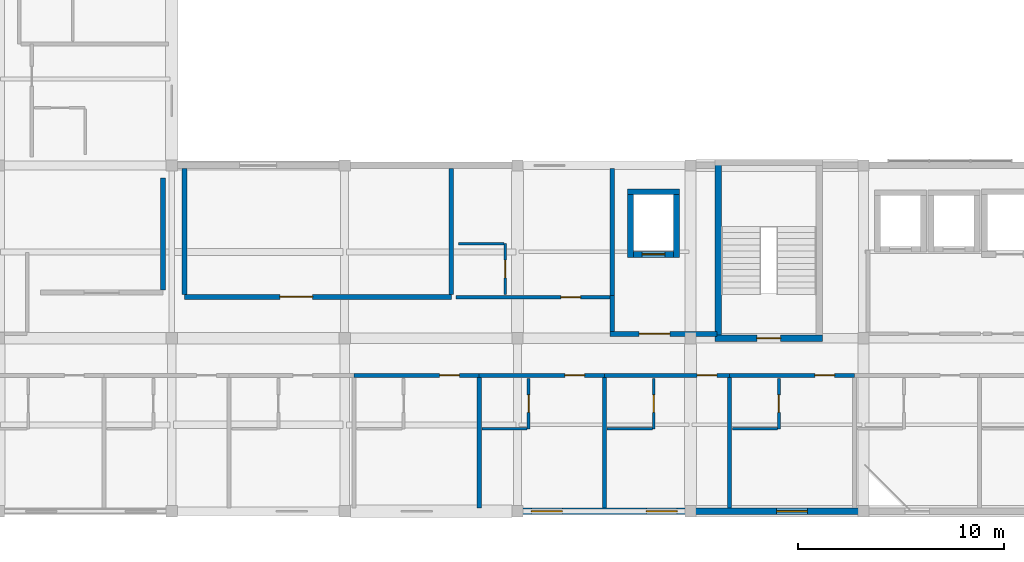
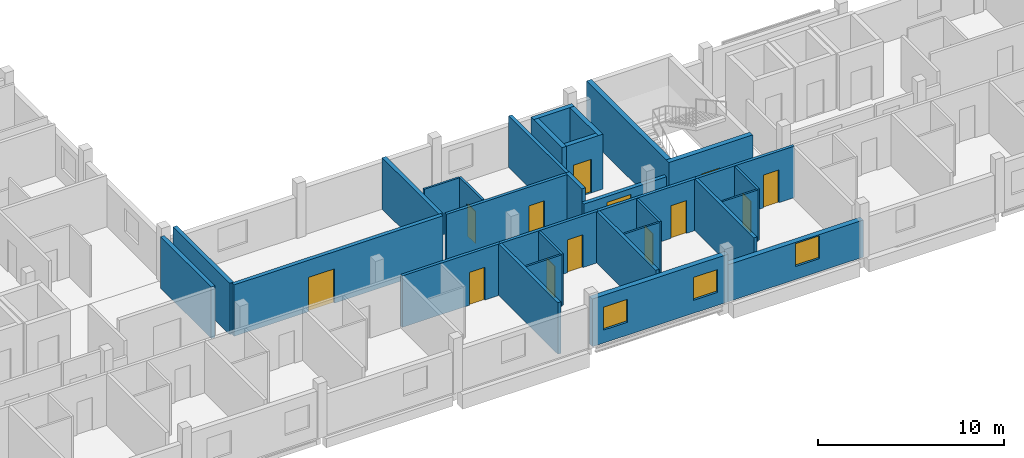
# One storey, part 12 of 20: 31 walls, 13 doors, 3 windows, 16 openings.
"""IFC4 building model written with IfcOpenShell, lengths in metres."""

from ifc_helpers import new_model, si_unit, derived_unit, direction, frame, frame_2d, origin, place, context, subcontext, project, spatial, rectangle, extrude, material, layer, layer_set, type_object, element, fill, save


model = new_model("IFC4")

# Units and contexts
model_context = context("Model", 3, precision=1e-05, world=origin(), true_north=direction((0.0, 1.0)))
body_context = subcontext(model_context, "Body", "Model", "MODEL_VIEW")
ifc_project = project(units=[si_unit("LENGTHUNIT", "METRE"), si_unit("AREAUNIT", "SQUARE_METRE"), si_unit("VOLUMEUNIT", "CUBIC_METRE"), si_unit("PLANEANGLEUNIT", "RADIAN"), si_unit("MASSUNIT", "GRAM", prefix="KILO"), derived_unit("THERMALTRANSMITTANCEUNIT", [(si_unit("POWERUNIT", "WATT"), 1), (si_unit("LENGTHUNIT", "METRE"), -2), (si_unit("THERMODYNAMICTEMPERATUREUNIT", "KELVIN"), -1)])], contexts=[model_context])

# Site, building, storey
site_placement = place(None, origin())
site = spatial("IfcSite", under=ifc_project, at=site_placement, CompositionType="ELEMENT")
building_placement = place(site_placement, origin())
building = spatial("IfcBuilding", under=site, at=building_placement, Name="Barrovel Congress Hotel", CompositionType="ELEMENT")
storey_placement = place(building_placement, frame((0.0, 0.0, 36.300048828125)))
storey = spatial("IfcBuildingStorey", under=building, at=storey_placement, Name="L09", CompositionType="ELEMENT", Elevation=36.300048828125)

# Wall, openings, windows
ifc_material_1 = material(Name="Fired Clay Brick Masonry", Category="masonry")
ifc_layer_1 = layer(ifc_material_1, 0.320068359375)
ifc_layer_set_1 = layer_set([ifc_layer_1], Name="Fired Clay Brick Masonry")
wall_type_1 = type_object("IfcWallType", Name="EW-BRK320", PredefinedType="STANDARD", material=ifc_layer_set_1)
wall_1_placement = place(storey_placement, frame((67.199951171875, 4.199951171875, 0.0), z_axis=(0.0, 0.0, 1.0), x_axis=(1.0, 0.0, 0.0)))
wall_1 = element("IfcWall", 1, at=wall_1_placement, inside=storey, type_object=wall_type_1, Name="EW:L09:HS-S:P05", PredefinedType="STANDARD", context=body_context, shape_type="SweptSolid", body=[
    extrude(rectangle(XDim=8.400146484375, YDim=0.320068359375, at=frame_2d((4.2001953125, 0.0))), origin(), (0.0, 0.0, 1.0), 3.1259765625),
])
opening_1_placement = place(wall_1_placement, frame((0.677001953125, 0.0, 0.85009765625)))
opening_1 = element("IfcOpeningElement", 2, at=opening_1_placement, cuts=wall_1, Name="Opening WN-07", PredefinedType="OPENING", context=body_context, shape_type="SweptSolid", body=[
    extrude(rectangle(XDim=1.5, YDim=1.5, at=frame_2d((0.75, 0.75))), frame((0.0, 0.169921875, 0.0), z_axis=(0.0, -1.0, 0.0), x_axis=(1.0, 0.0, 0.0)), (0.0, 0.0, 1.0), 0.340087890625),
])
opening_2_placement = place(wall_1_placement, frame((6.25390625, 0.0, 0.85009765625)))
opening_2 = element("IfcOpeningElement", 3, at=opening_2_placement, cuts=wall_1, Name="Opening WN-07", PredefinedType="OPENING", context=body_context, shape_type="SweptSolid", body=[
    extrude(rectangle(XDim=1.5, YDim=1.5, at=frame_2d((0.75, 0.75))), frame((0.0, 0.169921875, 0.0), z_axis=(0.0, -1.0, 0.0), x_axis=(1.0, 0.0, 0.0)), (0.0, 0.0, 1.0), 0.340087890625),
])
ifc_material_2 = material(Name="Double Low-E Insulated Glazing", Category="glass")
window_type = type_object("IfcWindowType", Name="WIN-WN-07", PartitioningType="SINGLE_PANEL", PredefinedType="WINDOW", material=ifc_material_2)
window_1_placement = place(opening_1_placement, origin())
window_1 = element("IfcWindow", 4, at=window_1_placement, inside=storey, type_object=window_type, Name="WIN:L09:U09", OverallHeight=1.5, OverallWidth=1.5, PartitioningType="SINGLE_PANEL", PredefinedType="WINDOW", context=body_context, shape_type="SweptSolid", body=[
    extrude(rectangle(XDim=1.5, YDim=1.5, at=frame_2d((0.75, 0.75))), frame((0.0, 0.030029296875, 0.0), z_axis=(0.0, -1.0, 0.0), x_axis=(1.0, 0.0, 0.0)), (0.0, 0.0, 1.0), 0.06005859375),
])
fill(opening_1, window_1)
window_2_placement = place(opening_2_placement, origin())
window_2 = element("IfcWindow", 5, at=window_2_placement, inside=storey, type_object=window_type, Name="WIN:L09:U10", OverallHeight=1.5, OverallWidth=1.5, PartitioningType="SINGLE_PANEL", PredefinedType="WINDOW", context=body_context, shape_type="SweptSolid", body=[
    extrude(rectangle(XDim=1.5, YDim=1.5, at=frame_2d((0.75, 0.75))), frame((0.0, 0.030029296875, 0.0), z_axis=(0.0, -1.0, 0.0), x_axis=(1.0, 0.0, 0.0)), (0.0, 0.0, 1.0), 0.06005859375),
])
fill(opening_2, window_2)

# Wall, opening, window
wall_2_placement = place(storey_placement, frame((75.60009765625, 4.199951171875, 0.0), z_axis=(0.0, 0.0, 1.0), x_axis=(1.0, 0.0, 0.0)))
wall_2 = element("IfcWall", 6, at=wall_2_placement, inside=storey, type_object=wall_type_1, Name="EW:L09:HS-S:P06", PredefinedType="STANDARD", context=body_context, shape_type="SweptSolid", body=[
    extrude(rectangle(XDim=8.39990234375, YDim=0.320068359375, at=frame_2d((4.199951171875, 0.0))), origin(), (0.0, 0.0, 1.0), 2.429931640625),
])
opening_3_placement = place(wall_2_placement, frame((4.1806640625, 0.0, 0.85009765625)))
opening_3 = element("IfcOpeningElement", 7, at=opening_3_placement, cuts=wall_2, Name="Opening WN-07", PredefinedType="OPENING", context=body_context, shape_type="SweptSolid", body=[
    extrude(rectangle(XDim=1.5, YDim=1.5, at=frame_2d((0.75, 0.75))), frame((0.0, 0.169921875, 0.0), z_axis=(0.0, -1.0, 0.0), x_axis=(1.0, 0.0, 0.0)), (0.0, 0.0, 1.0), 0.340087890625),
])
window_3_placement = place(opening_3_placement, origin())
window_3 = element("IfcWindow", 8, at=window_3_placement, inside=storey, type_object=window_type, Name="WIN:L09:U11", OverallHeight=1.5, OverallWidth=1.5, PartitioningType="SINGLE_PANEL", PredefinedType="WINDOW", context=body_context, shape_type="SweptSolid", body=[
    extrude(rectangle(XDim=1.5, YDim=1.5, at=frame_2d((0.75, 0.75))), frame((0.0, 0.030029296875, 0.0), z_axis=(0.0, -1.0, 0.0), x_axis=(1.0, 0.0, 0.0)), (0.0, 0.0, 1.0), 0.06005859375),
])
fill(opening_3, window_3)

# Wall, opening, door
ifc_material_3 = material(Name="Gypsum Acoustic Stud", Category="gypsum")
ifc_layer_2 = layer(ifc_material_3, 0.179931640625)
ifc_layer_set_2 = layer_set([ifc_layer_2], Name="Gypsum Acoustic Stud")
wall_type_2 = type_object("IfcWallType", Name="PW-ACU-180", PredefinedType="PARTITIONING", material=ifc_layer_set_2)
wall_3_placement = place(storey_placement, frame((59.261474609375, 10.800048828125, 0.0), z_axis=(0.0, 0.0, 1.0), x_axis=(1.0, 0.0, 0.0)))
wall_3 = element("IfcWall", 9, at=wall_3_placement, inside=storey, type_object=wall_type_2, Name="PW:L09:U08:COR", PredefinedType="PARTITIONING", context=body_context, shape_type="SweptSolid", body=[
    extrude(rectangle(XDim=6.076904296875, YDim=0.179931640625, at=frame_2d((3.03857421875, 0.0))), origin(), (0.0, 0.0, 1.0), 3.375),
])
opening_4_placement = place(wall_3_placement, frame((4.15478515625, 0.0, 0.0)))
opening_4 = element("IfcOpeningElement", 10, at=opening_4_placement, cuts=wall_3, Name="Opening ID-HTL", PredefinedType="OPENING", context=body_context, shape_type="SweptSolid", body=[
    extrude(rectangle(XDim=0.9599609375, YDim=2.14990234375, at=frame_2d((0.47998046875, 1.074951171875))), frame((0.0, 0.10009765625, 0.0), z_axis=(0.0, -1.0, 0.0), x_axis=(1.0, 0.0, 0.0)), (0.0, 0.0, 1.0), 0.199951171875),
])
ifc_material_4 = material(Name="Solid Oak Acoustic Timber Door", Category="wood")
door_type_1 = type_object("IfcDoorType", Name="IDR-ID-HTL", OperationType="NOTDEFINED", PredefinedType="DOOR", material=ifc_material_4)
door_1_placement = place(opening_4_placement, origin())
door_1 = element("IfcDoor", 11, at=door_1_placement, inside=storey, type_object=door_type_1, Name="DR:L09:U08:ENT", OperationType="SINGLE_SWING_RIGHT", OverallHeight=2.14990234375, OverallWidth=0.9599609375, PredefinedType="DOOR", context=body_context, shape_type="SweptSolid", body=[
    extrude(rectangle(XDim=0.9599609375, YDim=2.14990234375, at=frame_2d((0.47998046875, 1.074951171875))), frame((0.0, 0.02490234375, 0.0), z_axis=(0.0, -1.0, 0.0), x_axis=(1.0, 0.0, 0.0)), (0.0, 0.0, 1.0), 0.050048828125),
])
fill(opening_4, door_1)

wall_4_placement = place(storey_placement, frame((65.33837890625, 10.800048828125, 0.0), z_axis=(0.0, 0.0, 1.0), x_axis=(1.0, 0.0, 0.0)))
wall_4 = element("IfcWall", 12, at=wall_4_placement, inside=storey, type_object=wall_type_2, Name="PW:L09:U09:COR", PredefinedType="PARTITIONING", context=body_context, shape_type="SweptSolid", body=[
    extrude(rectangle(XDim=6.076904296875, YDim=0.179931640625, at=frame_2d((3.03857421875, 0.0))), origin(), (0.0, 0.0, 1.0), 3.375),
])
opening_5_placement = place(wall_4_placement, frame((4.15478515625, 0.0, 0.0)))
opening_5 = element("IfcOpeningElement", 13, at=opening_5_placement, cuts=wall_4, Name="Opening ID-HTL", PredefinedType="OPENING", context=body_context, shape_type="SweptSolid", body=[
    extrude(rectangle(XDim=0.9599609375, YDim=2.14990234375, at=frame_2d((0.47998046875, 1.074951171875))), frame((0.0, 0.10009765625, 0.0), z_axis=(0.0, -1.0, 0.0), x_axis=(1.0, 0.0, 0.0)), (0.0, 0.0, 1.0), 0.199951171875),
])
door_2_placement = place(opening_5_placement, origin())
door_2 = element("IfcDoor", 14, at=door_2_placement, inside=storey, type_object=door_type_1, Name="DR:L09:U09:ENT", OperationType="SINGLE_SWING_RIGHT", OverallHeight=2.14990234375, OverallWidth=0.9599609375, PredefinedType="DOOR", context=body_context, shape_type="SweptSolid", body=[
    extrude(rectangle(XDim=0.9599609375, YDim=2.14990234375, at=frame_2d((0.47998046875, 1.074951171875))), frame((0.0, 0.02490234375, 0.0), z_axis=(0.0, -1.0, 0.0), x_axis=(1.0, 0.0, 0.0)), (0.0, 0.0, 1.0), 0.050048828125),
])
fill(opening_5, door_2)

wall_5_placement = place(storey_placement, frame((71.415283203125, 10.800048828125, 0.0), z_axis=(0.0, 0.0, 1.0), x_axis=(1.0, 0.0, 0.0)))
wall_5 = element("IfcWall", 15, at=wall_5_placement, inside=storey, type_object=wall_type_2, Name="PW:L09:U10:COR", PredefinedType="PARTITIONING", context=body_context, shape_type="SweptSolid", body=[
    extrude(rectangle(XDim=6.076904296875, YDim=0.179931640625, at=frame_2d((3.03857421875, 0.0))), origin(), (0.0, 0.0, 1.0), 3.375),
])
opening_6_placement = place(wall_5_placement, frame((4.504638671875, 0.0, 0.0)))
opening_6 = element("IfcOpeningElement", 16, at=opening_6_placement, cuts=wall_5, Name="Opening ID-HTL", PredefinedType="OPENING", context=body_context, shape_type="SweptSolid", body=[
    extrude(rectangle(XDim=0.9599609375, YDim=2.14990234375, at=frame_2d((0.47998046875, 1.074951171875))), frame((0.0, 0.10009765625, 0.0), z_axis=(0.0, -1.0, 0.0), x_axis=(1.0, 0.0, 0.0)), (0.0, 0.0, 1.0), 0.199951171875),
])
door_3_placement = place(opening_6_placement, origin())
door_3 = element("IfcDoor", 17, at=door_3_placement, inside=storey, type_object=door_type_1, Name="DR:L09:U10:ENT", OperationType="SINGLE_SWING_RIGHT", OverallHeight=2.14990234375, OverallWidth=0.9599609375, PredefinedType="DOOR", context=body_context, shape_type="SweptSolid", body=[
    extrude(rectangle(XDim=0.9599609375, YDim=2.14990234375, at=frame_2d((0.47998046875, 1.074951171875))), frame((0.0, 0.02490234375, 0.0), z_axis=(0.0, -1.0, 0.0), x_axis=(1.0, 0.0, 0.0)), (0.0, 0.0, 1.0), 0.050048828125),
])
fill(opening_6, door_3)

wall_6_placement = place(storey_placement, frame((77.4921875, 10.800048828125, 0.0), z_axis=(0.0, 0.0, 1.0), x_axis=(1.0, 0.0, 0.0)))
wall_6 = element("IfcWall", 18, at=wall_6_placement, inside=storey, type_object=wall_type_2, Name="PW:L09:U11:COR", PredefinedType="PARTITIONING", context=body_context, shape_type="SweptSolid", body=[
    extrude(rectangle(XDim=6.076904296875, YDim=0.179931640625, at=frame_2d((3.03857421875, 0.0))), origin(), (0.0, 0.0, 1.0), 3.375),
])
opening_7_placement = place(wall_6_placement, frame((4.15478515625, 0.0, 0.0)))
opening_7 = element("IfcOpeningElement", 19, at=opening_7_placement, cuts=wall_6, Name="Opening ID-HTL", PredefinedType="OPENING", context=body_context, shape_type="SweptSolid", body=[
    extrude(rectangle(XDim=0.9599609375, YDim=2.14990234375, at=frame_2d((0.47998046875, 1.074951171875))), frame((0.0, 0.10009765625, 0.0), z_axis=(0.0, -1.0, 0.0), x_axis=(1.0, 0.0, 0.0)), (0.0, 0.0, 1.0), 0.199951171875),
])
door_4_placement = place(opening_7_placement, origin())
door_4 = element("IfcDoor", 20, at=door_4_placement, inside=storey, type_object=door_type_1, Name="DR:L09:U11:ENT", OperationType="SINGLE_SWING_RIGHT", OverallHeight=2.14990234375, OverallWidth=0.9599609375, PredefinedType="DOOR", context=body_context, shape_type="SweptSolid", body=[
    extrude(rectangle(XDim=0.9599609375, YDim=2.14990234375, at=frame_2d((0.47998046875, 1.074951171875))), frame((0.0, 0.02490234375, 0.0), z_axis=(0.0, -1.0, 0.0), x_axis=(1.0, 0.0, 0.0)), (0.0, 0.0, 1.0), 0.050048828125),
])
fill(opening_7, door_4)

wall_7_placement = place(storey_placement, frame((64.199951171875, 14.60009765625, 0.0), z_axis=(0.0, 0.0, 1.0), x_axis=(1.0, 0.0, 0.0)))
wall_7 = element("IfcWall", 21, at=wall_7_placement, inside=storey, type_object=wall_type_2, Name="PW:L09:U19:COR", PredefinedType="PARTITIONING", context=body_context, shape_type="SweptSolid", body=[
    extrude(rectangle(XDim=7.60009765625, YDim=0.179931640625, at=frame_2d((3.800048828125, 0.0))), origin(), (0.0, 0.0, 1.0), 3.375),
])
opening_8_placement = place(wall_7_placement, frame((5.09912109375, 0.0, 0.0)))
opening_8 = element("IfcOpeningElement", 22, at=opening_8_placement, cuts=wall_7, Name="Opening ID-HTL", PredefinedType="OPENING", context=body_context, shape_type="SweptSolid", body=[
    extrude(rectangle(XDim=0.9599609375, YDim=2.14990234375, at=frame_2d((0.47998046875, 1.074951171875))), frame((0.0, 0.10009765625, 0.0), z_axis=(0.0, -1.0, 0.0), x_axis=(1.0, 0.0, 0.0)), (0.0, 0.0, 1.0), 0.199951171875),
])
door_5_placement = place(opening_8_placement, origin())
door_5 = element("IfcDoor", 23, at=door_5_placement, inside=storey, type_object=door_type_1, Name="DR:L09:U19:ENT", OperationType="SINGLE_SWING_RIGHT", OverallHeight=2.14990234375, OverallWidth=0.9599609375, PredefinedType="DOOR", context=body_context, shape_type="SweptSolid", body=[
    extrude(rectangle(XDim=0.9599609375, YDim=2.14990234375, at=frame_2d((0.47998046875, 1.074951171875))), frame((0.0, 0.02490234375, 0.0), z_axis=(0.0, -1.0, 0.0), x_axis=(1.0, 0.0, 0.0)), (0.0, 0.0, 1.0), 0.050048828125),
])
fill(opening_8, door_5)

# Walls
ifc_layer_3 = layer(ifc_material_3, 0.1201171875)
ifc_layer_set_3 = layer_set([ifc_layer_3], Name="Gypsum Acoustic Stud")
wall_type_3 = type_object("IfcWallType", Name="PW-INT-120", PredefinedType="PARTITIONING", material=ifc_layer_set_3)
for number, where, z_axis, x_axis, name in (
    (24, (65.478515625, 8.199951171875, 0.0), (0.0, 0.0, 1.0), (1.0, 0.0, 0.0), "PW:L09:U09:B2"),
    (25, (71.555419921875, 8.199951171875, 0.0), (0.0, 0.0, 1.0), (1.0, 0.0, 0.0), "PW:L09:U10:B2"),
    (26, (77.63232421875, 8.199951171875, 0.0), (0.0, 0.0, 1.0), (1.0, 0.0, 0.0), "PW:L09:U11:B2"),
    (27, (64.340087890625, 17.199951171875, 0.0), (0.0, 0.0, 1.0), (1.0, 0.0, 0.0), "PW:L09:U19:B2"),
):
    element("IfcWall", number, at=place(storey_placement, frame(where, z_axis=z_axis, x_axis=x_axis)), inside=storey, type_object=wall_type_3, Name=name, PredefinedType="PARTITIONING", context=body_context, shape_type="SweptSolid", body=[
        extrude(rectangle(XDim=2.18994140625, YDim=0.1201171875, at=frame_2d((1.094970703125, 0.0))), origin(), (0.0, 0.0, 1.0), 3.375),
    ])
ifc_layer_4 = layer(ifc_material_1, 0.199951171875)
ifc_layer_set_4 = layer_set([ifc_layer_4], Name="Fired Clay Brick Masonry")
wall_type_4 = type_object("IfcWallType", Name="PW-MAS-200", PredefinedType="PARTITIONING", material=ifc_layer_set_4)
for number, where, z_axis, x_axis, name in (
    (28, (65.33837890625, 4.360107421875, 0.0), (0.0, 0.0, 1.0), (0.0, 1.0, 0.0), "PW:L09:U08:DEM"),
    (29, (71.415283203125, 4.360107421875, 0.0), (0.0, 0.0, 1.0), (0.0, 1.0, 0.0), "PW:L09:U09:DEM"),
    (30, (77.4921875, 4.360107421875, 0.0), (0.0, 0.0, 1.0), (0.0, 1.0, 0.0), "PW:L09:U10:DEM"),
):
    element("IfcWall", number, at=place(storey_placement, frame(where, z_axis=z_axis, x_axis=x_axis)), inside=storey, type_object=wall_type_4, Name=name, PredefinedType="PARTITIONING", context=body_context, shape_type="SweptSolid", body=[
        extrude(rectangle(XDim=6.349853515625, YDim=0.199951171875, at=frame_2d((3.1748046875, 0.0))), origin(), (0.0, 0.0, 1.0), 3.375),
    ])
wall_8_placement = place(storey_placement, frame((71.800048828125, 14.68994140625, 0.0), z_axis=(0.0, 0.0, 1.0), x_axis=(0.0, 1.0, 0.0)))
element("IfcWall", 31, at=wall_8_placement, inside=storey, type_object=wall_type_4, Name="PW:L09:U19:DEM", PredefinedType="PARTITIONING", context=body_context, shape_type="SweptSolid", body=[
    extrude(rectangle(XDim=6.150146484375, YDim=0.199951171875, at=frame_2d((3.0751953125, 0.0))), origin(), (0.0, 0.0, 1.0), 3.375),
])

# Wall, opening, door
ifc_layer_5 = layer(ifc_material_1, 0.239990234375)
ifc_layer_set_5 = layer_set([ifc_layer_5], Name="Fired Clay Brick Masonry")
wall_type_5 = type_object("IfcWallType", Name="PW-MAS-240", PredefinedType="PARTITIONING", material=ifc_layer_set_5)
wall_9_placement = place(storey_placement, frame((71.679931640625, 12.820068359375, 0.0), z_axis=(0.0, 0.0, 1.0), x_axis=(1.0, 0.0, 0.0)))
wall_9 = element("IfcWall", 32, at=wall_9_placement, inside=storey, type_object=wall_type_5, Name="RW:SP:L09:FFL-2:S", PredefinedType="PARTITIONING", context=body_context, shape_type="SweptSolid", body=[
    extrude(rectangle(XDim=5.199951171875, YDim=0.239990234375, at=frame_2d((2.60009765625, 0.0))), origin(), (0.0, 0.0, 1.0), 2.530029296875),
])
opening_9_placement = place(wall_9_placement, frame((1.419921875, 0.0, 0.0)))
opening_9 = element("IfcOpeningElement", 33, at=opening_9_placement, cuts=wall_9, Name="Opening ID-FFL", PredefinedType="OPENING", context=body_context, shape_type="SweptSolid", body=[
    extrude(rectangle(XDim=1.5, YDim=2.14990234375, at=frame_2d((0.75, 1.074951171875))), frame((0.0, 0.1298828125, 0.0), z_axis=(0.0, -1.0, 0.0), x_axis=(1.0, 0.0, 0.0)), (0.0, 0.0, 1.0), 0.260009765625),
])
ifc_material_5 = material(Name="Painted Hollow-Metal Steel Door", Category="steel")
door_type_2 = type_object("IfcDoorType", Name="IDR-ID-FFL", OperationType="NOTDEFINED", PredefinedType="DOOR", material=ifc_material_5)
door_6_placement = place(opening_9_placement, origin())
door_6 = element("IfcDoor", 34, at=door_6_placement, inside=storey, type_object=door_type_2, Name="RD:SP:L09:FFL-2", OperationType="DOUBLE_DOOR_SINGLE_SWING", OverallHeight=2.14990234375, OverallWidth=1.5, PredefinedType="DOOR", context=body_context, shape_type="SweptSolid", body=[
    extrude(rectangle(XDim=1.5, YDim=2.14990234375, at=frame_2d((0.75, 1.074951171875))), frame((0.0, 0.02490234375, 0.0), z_axis=(0.0, -1.0, 0.0), x_axis=(1.0, 0.0, 0.0)), (0.0, 0.0, 1.0), 0.050048828125),
])
fill(opening_9, door_6)

# Walls
wall_10_placement = place(storey_placement, frame((71.800048828125, 12.93994140625, 0.0), z_axis=(0.0, 0.0, 1.0), x_axis=(0.0, 1.0, 0.0)))
element("IfcWall", 35, at=wall_10_placement, inside=storey, type_object=wall_type_5, Name="RW:SP:L09:FFL-2:W", PredefinedType="PARTITIONING", context=body_context, shape_type="SweptSolid", body=[
    extrude(rectangle(XDim=1.75, YDim=0.239990234375, at=frame_2d((0.875, 0.0))), origin(), (0.0, 0.0, 1.0), 3.375),
])
wall_11_placement = place(storey_placement, frame((49.97998046875, 14.93994140625, 0.0), z_axis=(0.0, 0.0, 1.0), x_axis=(0.0, 1.0, 0.0)))
element("IfcWall", 36, at=wall_11_placement, inside=storey, type_object=wall_type_5, Name="RW:SP:L09:LINEN:E", PredefinedType="PARTITIONING", context=body_context, shape_type="SweptSolid", body=[
    extrude(rectangle(XDim=5.43994140625, YDim=0.239990234375, at=frame_2d((2.719970703125, 0.0))), origin(), (0.0, 0.0, 1.0), 3.375),
])

# Wall, opening, door
wall_12_placement = place(storey_placement, frame((51.02001953125, 14.6201171875, 0.0), z_axis=(0.0, 0.0, 1.0), x_axis=(1.0, 0.0, 0.0)))
wall_12 = element("IfcWall", 37, at=wall_12_placement, inside=storey, type_object=wall_type_5, Name="RW:SP:L09:SALON:S", PredefinedType="PARTITIONING", context=body_context, shape_type="SweptSolid", body=[
    extrude(rectangle(XDim=12.9599609375, YDim=0.239990234375, at=frame_2d((6.47998046875, 0.0))), origin(), (0.0, 0.0, 1.0), 3.375),
])
opening_10_placement = place(wall_12_placement, frame((4.6298828125, 0.0, 0.0)))
opening_10 = element("IfcOpeningElement", 38, at=opening_10_placement, cuts=wall_12, Name="Opening ID-MTG", PredefinedType="OPENING", context=body_context, shape_type="SweptSolid", body=[
    extrude(rectangle(XDim=1.60009765625, YDim=2.25, at=frame_2d((0.800048828125, 1.125))), frame((0.0, 0.1298828125, 0.0), z_axis=(0.0, -1.0, 0.0), x_axis=(1.0, 0.0, 0.0)), (0.0, 0.0, 1.0), 0.260009765625),
])
door_type_3 = type_object("IfcDoorType", Name="IDR-ID-MTG", OperationType="NOTDEFINED", PredefinedType="DOOR", material=ifc_material_4)
door_7_placement = place(opening_10_placement, origin())
door_7 = element("IfcDoor", 39, at=door_7_placement, inside=storey, type_object=door_type_3, Name="RD:SP:L09:SALON", OperationType="DOUBLE_DOOR_SINGLE_SWING", OverallHeight=2.25, OverallWidth=1.60009765625, PredefinedType="DOOR", context=body_context, shape_type="SweptSolid", body=[
    extrude(rectangle(XDim=1.60009765625, YDim=2.25, at=frame_2d((0.800048828125, 1.125))), frame((0.0, 0.02490234375, 0.0), z_axis=(0.0, -1.0, 0.0), x_axis=(1.0, 0.0, 0.0)), (0.0, 0.0, 1.0), 0.050048828125),
])
fill(opening_10, door_7)

# Walls
for number, where, z_axis, x_axis, name in (
    (40, (51.02001953125, 14.739990234375, 0.0), (0.0, 0.0, 1.0), (0.0, 1.0, 0.0), "RW:SP:L09:SALON:W"),
    (41, (63.97998046875, 14.739990234375, 0.0), (0.0, 0.0, 1.0), (0.0, 1.0, 0.0), "RW:SP:L09:SALON:E"),
):
    element("IfcWall", number, at=place(storey_placement, frame(where, z_axis=z_axis, x_axis=x_axis)), inside=storey, type_object=wall_type_5, Name=name, PredefinedType="PARTITIONING", context=body_context, shape_type="SweptSolid", body=[
        extrude(rectangle(XDim=6.10009765625, YDim=0.239990234375, at=frame_2d((3.050048828125, 0.0))), origin(), (0.0, 0.0, 1.0), 3.375),
    ])

# Wall, opening, door
ifc_material_6 = material(Name="Gypsum Moisture Board", Category="gypsum")
ifc_layer_6 = layer(ifc_material_6, 0.139892578125)
ifc_layer_set_6 = layer_set([ifc_layer_6], Name="Gypsum Moisture Board")
wall_type_6 = type_object("IfcWallType", Name="PW-WET-140", PredefinedType="PARTITIONING", material=ifc_layer_set_6)
wall_13_placement = place(storey_placement, frame((67.738525390625, 8.199951171875, 0.0), z_axis=(0.0, 0.0, 1.0), x_axis=(0.0, 1.0, 0.0)))
wall_13 = element("IfcWall", 42, at=wall_13_placement, inside=storey, type_object=wall_type_6, Name="PW:L09:U09:B1", PredefinedType="PARTITIONING", context=body_context, shape_type="SweptSolid", body=[
    extrude(rectangle(XDim=2.4599609375, YDim=0.139892578125, at=frame_2d((1.22998046875, 0.0))), origin(), (0.0, 0.0, 1.0), 3.375),
])
opening_11_placement = place(wall_13_placement, frame((0.800048828125, 0.0, 0.0)))
opening_11 = element("IfcOpeningElement", 43, at=opening_11_placement, cuts=wall_13, Name="Opening ID-ENS", PredefinedType="OPENING", context=body_context, shape_type="SweptSolid", body=[
    extrude(rectangle(XDim=0.860107421875, YDim=2.10009765625, at=frame_2d((0.43017578125, 1.050048828125))), frame((0.0, 0.080078125, 0.0), z_axis=(0.0, -1.0, 0.0), x_axis=(1.0, 0.0, 0.0)), (0.0, 0.0, 1.0), 0.159912109375),
])
ifc_material_7 = material(Name="Lacquered Timber Moisture Door", Category="wood")
door_type_4 = type_object("IfcDoorType", Name="IDR-ID-ENS", OperationType="NOTDEFINED", PredefinedType="DOOR", material=ifc_material_7)
door_8_placement = place(opening_11_placement, origin())
door_8 = element("IfcDoor", 44, at=door_8_placement, inside=storey, type_object=door_type_4, Name="DR:L09:U09:ENS", OperationType="SINGLE_SWING_LEFT", OverallHeight=2.10009765625, OverallWidth=0.860107421875, PredefinedType="DOOR", context=body_context, shape_type="SweptSolid", body=[
    extrude(rectangle(XDim=0.860107421875, YDim=2.10009765625, at=frame_2d((0.43017578125, 1.050048828125))), frame((0.0, 0.02490234375, 0.0), z_axis=(0.0, -1.0, 0.0), x_axis=(1.0, 0.0, 0.0)), (0.0, 0.0, 1.0), 0.050048828125),
])
fill(opening_11, door_8)

wall_14_placement = place(storey_placement, frame((73.8154296875, 8.199951171875, 0.0), z_axis=(0.0, 0.0, 1.0), x_axis=(0.0, 1.0, 0.0)))
wall_14 = element("IfcWall", 45, at=wall_14_placement, inside=storey, type_object=wall_type_6, Name="PW:L09:U10:B1", PredefinedType="PARTITIONING", context=body_context, shape_type="SweptSolid", body=[
    extrude(rectangle(XDim=2.4599609375, YDim=0.139892578125, at=frame_2d((1.22998046875, 0.0))), origin(), (0.0, 0.0, 1.0), 3.375),
])
opening_12_placement = place(wall_14_placement, frame((0.800048828125, 0.0, 0.0)))
opening_12 = element("IfcOpeningElement", 46, at=opening_12_placement, cuts=wall_14, Name="Opening ID-ENS", PredefinedType="OPENING", context=body_context, shape_type="SweptSolid", body=[
    extrude(rectangle(XDim=0.860107421875, YDim=2.10009765625, at=frame_2d((0.43017578125, 1.050048828125))), frame((0.0, 0.080078125, 0.0), z_axis=(0.0, -1.0, 0.0), x_axis=(1.0, 0.0, 0.0)), (0.0, 0.0, 1.0), 0.159912109375),
])
door_9_placement = place(opening_12_placement, origin())
door_9 = element("IfcDoor", 47, at=door_9_placement, inside=storey, type_object=door_type_4, Name="DR:L09:U10:ENS", OperationType="SINGLE_SWING_LEFT", OverallHeight=2.10009765625, OverallWidth=0.860107421875, PredefinedType="DOOR", context=body_context, shape_type="SweptSolid", body=[
    extrude(rectangle(XDim=0.860107421875, YDim=2.10009765625, at=frame_2d((0.43017578125, 1.050048828125))), frame((0.0, 0.02490234375, 0.0), z_axis=(0.0, -1.0, 0.0), x_axis=(1.0, 0.0, 0.0)), (0.0, 0.0, 1.0), 0.050048828125),
])
fill(opening_12, door_9)

wall_15_placement = place(storey_placement, frame((79.892333984375, 8.199951171875, 0.0), z_axis=(0.0, 0.0, 1.0), x_axis=(0.0, 1.0, 0.0)))
wall_15 = element("IfcWall", 48, at=wall_15_placement, inside=storey, type_object=wall_type_6, Name="PW:L09:U11:B1", PredefinedType="PARTITIONING", context=body_context, shape_type="SweptSolid", body=[
    extrude(rectangle(XDim=2.4599609375, YDim=0.139892578125, at=frame_2d((1.22998046875, 0.0))), origin(), (0.0, 0.0, 1.0), 3.375),
])
opening_13_placement = place(wall_15_placement, frame((0.800048828125, 0.0, 0.0)))
opening_13 = element("IfcOpeningElement", 49, at=opening_13_placement, cuts=wall_15, Name="Opening ID-ENS", PredefinedType="OPENING", context=body_context, shape_type="SweptSolid", body=[
    extrude(rectangle(XDim=0.860107421875, YDim=2.10009765625, at=frame_2d((0.43017578125, 1.050048828125))), frame((0.0, 0.080078125, 0.0), z_axis=(0.0, -1.0, 0.0), x_axis=(1.0, 0.0, 0.0)), (0.0, 0.0, 1.0), 0.159912109375),
])
door_10_placement = place(opening_13_placement, origin())
door_10 = element("IfcDoor", 50, at=door_10_placement, inside=storey, type_object=door_type_4, Name="DR:L09:U11:ENS", OperationType="SINGLE_SWING_LEFT", OverallHeight=2.10009765625, OverallWidth=0.860107421875, PredefinedType="DOOR", context=body_context, shape_type="SweptSolid", body=[
    extrude(rectangle(XDim=0.860107421875, YDim=2.10009765625, at=frame_2d((0.43017578125, 1.050048828125))), frame((0.0, 0.02490234375, 0.0), z_axis=(0.0, -1.0, 0.0), x_axis=(1.0, 0.0, 0.0)), (0.0, 0.0, 1.0), 0.050048828125),
])
fill(opening_13, door_10)

wall_16_placement = place(storey_placement, frame((66.60009765625, 14.739990234375, 0.0), z_axis=(0.0, 0.0, 1.0), x_axis=(0.0, 1.0, 0.0)))
wall_16 = element("IfcWall", 51, at=wall_16_placement, inside=storey, type_object=wall_type_6, Name="PW:L09:U19:B1", PredefinedType="PARTITIONING", context=body_context, shape_type="SweptSolid", body=[
    extrude(rectangle(XDim=2.4599609375, YDim=0.139892578125, at=frame_2d((1.22998046875, 0.0))), origin(), (0.0, 0.0, 1.0), 3.375),
])
opening_14_placement = place(wall_16_placement, frame((0.800048828125, 0.0, 0.0)))
opening_14 = element("IfcOpeningElement", 52, at=opening_14_placement, cuts=wall_16, Name="Opening ID-ENS", PredefinedType="OPENING", context=body_context, shape_type="SweptSolid", body=[
    extrude(rectangle(XDim=0.860107421875, YDim=2.10009765625, at=frame_2d((0.43017578125, 1.050048828125))), frame((0.0, 0.080078125, 0.0), z_axis=(0.0, -1.0, 0.0), x_axis=(1.0, 0.0, 0.0)), (0.0, 0.0, 1.0), 0.159912109375),
])
door_11_placement = place(opening_14_placement, origin())
door_11 = element("IfcDoor", 53, at=door_11_placement, inside=storey, type_object=door_type_4, Name="DR:L09:U19:ENS", OperationType="SINGLE_SWING_LEFT", OverallHeight=2.10009765625, OverallWidth=0.860107421875, PredefinedType="DOOR", context=body_context, shape_type="SweptSolid", body=[
    extrude(rectangle(XDim=0.860107421875, YDim=2.10009765625, at=frame_2d((0.43017578125, 1.050048828125))), frame((0.0, 0.02490234375, 0.0), z_axis=(0.0, -1.0, 0.0), x_axis=(1.0, 0.0, 0.0)), (0.0, 0.0, 1.0), 0.050048828125),
])
fill(opening_14, door_11)

ifc_material_8 = material(Name="Concrete C40", Category="concrete")
ifc_layer_7 = layer(ifc_material_8, 0.280029296875)
ifc_layer_set_7 = layer_set([ifc_layer_7], Name="Concrete C40")
wall_type_7 = type_object("IfcWallType", Name="SW-C40-280", PredefinedType="SHEAR", material=ifc_layer_set_7)
wall_17_placement = place(storey_placement, frame((72.5400390625, 16.679931640625, 0.0), z_axis=(0.0, 0.0, 1.0), x_axis=(1.0, 0.0, 0.0)))
wall_17 = element("IfcWall", 54, at=wall_17_placement, inside=storey, type_object=wall_type_7, Name="LSH:FL-2:L09:S", PredefinedType="SHEAR", context=body_context, shape_type="SweptSolid", body=[
    extrude(rectangle(XDim=2.52001953125, YDim=0.280029296875, at=frame_2d((1.260009765625, 0.0))), origin(), (0.0, 0.0, 1.0), 3.599853515625),
])
opening_15_placement = place(wall_17_placement, frame((0.7099609375, 0.0, 0.0)))
opening_15 = element("IfcOpeningElement", 55, at=opening_15_placement, cuts=wall_17, Name="Opening LD-FF", PredefinedType="OPENING", context=body_context, shape_type="SweptSolid", body=[
    extrude(rectangle(XDim=1.10009765625, YDim=2.199951171875, at=frame_2d((0.550048828125, 1.10009765625))), frame((0.0, 0.14990234375, 0.0), z_axis=(0.0, -1.0, 0.0), x_axis=(1.0, 0.0, 0.0)), (0.0, 0.0, 1.0), 0.300048828125),
])
ifc_material_9 = material(Name="Brushed Stainless Steel", Category="steel")
door_type_5 = type_object("IfcDoorType", Name="IDR-LD-FF", OperationType="NOTDEFINED", PredefinedType="DOOR", material=ifc_material_9)
door_12_placement = place(opening_15_placement, origin())
door_12 = element("IfcDoor", 56, at=door_12_placement, inside=storey, type_object=door_type_5, Name="Lift Landing Door LD-FL-2-L09", OperationType="SLIDING_TO_LEFT", OverallHeight=2.199951171875, OverallWidth=1.10009765625, PredefinedType="DOOR", context=body_context, shape_type="SweptSolid", body=[
    extrude(rectangle(XDim=1.10009765625, YDim=2.199951171875, at=frame_2d((0.550048828125, 1.10009765625))), frame((0.0, 0.02490234375, 0.0), z_axis=(0.0, -1.0, 0.0), x_axis=(1.0, 0.0, 0.0)), (0.0, 0.0, 1.0), 0.050048828125),
])
fill(opening_15, door_12)

# Walls
wall_18_placement = place(storey_placement, frame((74.919921875, 16.5400390625, 0.0), z_axis=(0.0, 0.0, 1.0), x_axis=(0.0, 1.0, 0.0)))
element("IfcWall", 57, at=wall_18_placement, inside=storey, type_object=wall_type_7, Name="LSH:FL-2:L09:E", PredefinedType="SHEAR", context=body_context, shape_type="SweptSolid", body=[
    extrude(rectangle(XDim=3.320068359375, YDim=0.280029296875, at=frame_2d((1.66015625, 0.0))), origin(), (0.0, 0.0, 1.0), 3.599853515625),
])
wall_19_placement = place(storey_placement, frame((75.06005859375, 19.719970703125, 0.0), z_axis=(0.0, 0.0, 1.0), x_axis=(-1.0, 0.0, 0.0)))
element("IfcWall", 58, at=wall_19_placement, inside=storey, type_object=wall_type_7, Name="LSH:FL-2:L09:N", PredefinedType="SHEAR", context=body_context, shape_type="SweptSolid", body=[
    extrude(rectangle(XDim=2.52001953125, YDim=0.280029296875, at=frame_2d((1.260009765625, 0.0))), origin(), (0.0, 0.0, 1.0), 3.599853515625),
])
wall_20_placement = place(storey_placement, frame((72.679931640625, 19.860107421875, 0.0), z_axis=(0.0, 0.0, 1.0), x_axis=(0.0, -1.0, 0.0)))
element("IfcWall", 59, at=wall_20_placement, inside=storey, type_object=wall_type_7, Name="LSH:FL-2:L09:W", PredefinedType="SHEAR", context=body_context, shape_type="SweptSolid", body=[
    extrude(rectangle(XDim=3.320068359375, YDim=0.280029296875, at=frame_2d((1.66015625, 0.0))), origin(), (0.0, 0.0, 1.0), 3.599853515625),
])

# Wall, opening, door
ifc_layer_8 = layer(ifc_material_8, 0.300048828125)
ifc_layer_set_8 = layer_set([ifc_layer_8], Name="Concrete C40")
wall_type_8 = type_object("IfcWallType", Name="SW-C40-300", PredefinedType="SHEAR", material=ifc_layer_set_8)
wall_21_placement = place(storey_placement, frame((76.800048828125, 12.610107421875, 0.0), z_axis=(0.0, 0.0, 1.0), x_axis=(1.0, 0.0, 0.0)))
wall_21 = element("IfcWall", 60, at=wall_21_placement, inside=storey, type_object=wall_type_8, Name="SHW:XS-02:L09:S", PredefinedType="SHEAR", context=body_context, shape_type="SweptSolid", body=[
    extrude(rectangle(XDim=5.199951171875, YDim=0.300048828125, at=frame_2d((2.60009765625, 0.0))), origin(), (0.0, 0.0, 1.0), 3.599853515625),
])
opening_16_placement = place(wall_21_placement, frame((2.02490234375, 0.0, 0.0)))
opening_16 = element("IfcOpeningElement", 61, at=opening_16_placement, cuts=wall_21, Name="Opening ID-ST1", PredefinedType="OPENING", context=body_context, shape_type="SweptSolid", body=[
    extrude(rectangle(XDim=1.14990234375, YDim=2.14990234375, at=frame_2d((0.574951171875, 1.074951171875))), frame((0.0, 0.16015625, 0.0), z_axis=(0.0, -1.0, 0.0), x_axis=(1.0, 0.0, 0.0)), (0.0, 0.0, 1.0), 0.320068359375),
])
door_type_6 = type_object("IfcDoorType", Name="IDR-ID-ST1", OperationType="NOTDEFINED", PredefinedType="DOOR", material=ifc_material_5)
door_13_placement = place(opening_16_placement, origin())
door_13 = element("IfcDoor", 62, at=door_13_placement, inside=storey, type_object=door_type_6, Name="Stair Core Fire Door XS-02-L09", OperationType="SINGLE_SWING_RIGHT", OverallHeight=2.14990234375, OverallWidth=1.14990234375, PredefinedType="DOOR", context=body_context, shape_type="SweptSolid", body=[
    extrude(rectangle(XDim=1.14990234375, YDim=2.14990234375, at=frame_2d((0.574951171875, 1.074951171875))), frame((0.0, 0.02490234375, 0.0), z_axis=(0.0, -1.0, 0.0), x_axis=(1.0, 0.0, 0.0)), (0.0, 0.0, 1.0), 0.050048828125),
])
fill(opening_16, door_13)

# Wall
wall_22_placement = place(storey_placement, frame((76.949951171875, 21.300048828125, 0.0), z_axis=(0.0, 0.0, 1.0), x_axis=(0.0, -1.0, 0.0)))
element("IfcWall", 63, at=wall_22_placement, inside=storey, type_object=wall_type_8, Name="SHW:XS-02:L09:W", PredefinedType="SHEAR", context=body_context, shape_type="SweptSolid", body=[
    extrude(rectangle(XDim=8.840087890625, YDim=0.300048828125, at=frame_2d((4.419921875, 0.0))), origin(), (0.0, 0.0, 1.0), 3.599853515625),
])

save(model, "model.ifc")
